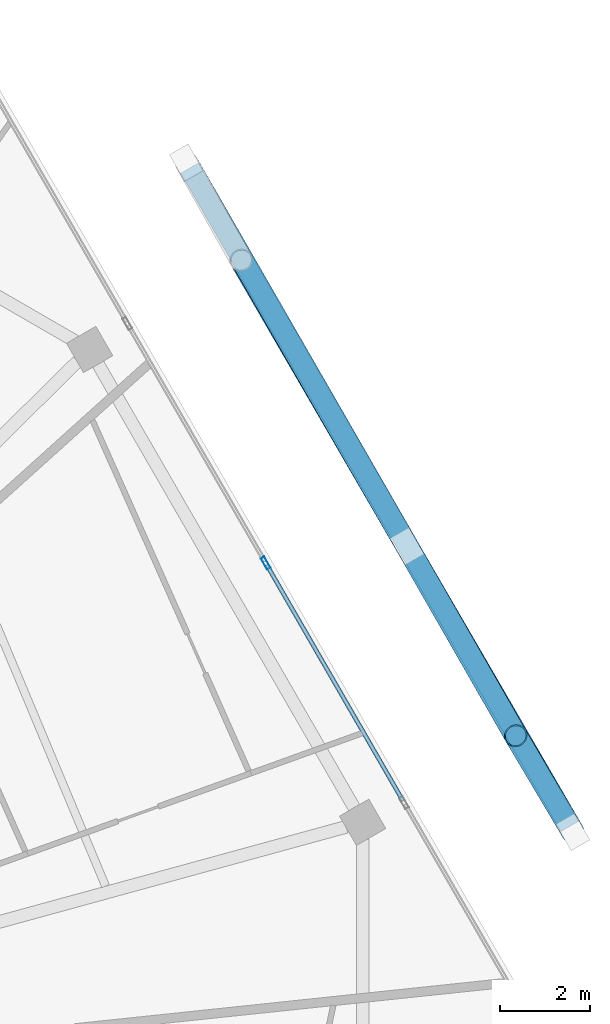
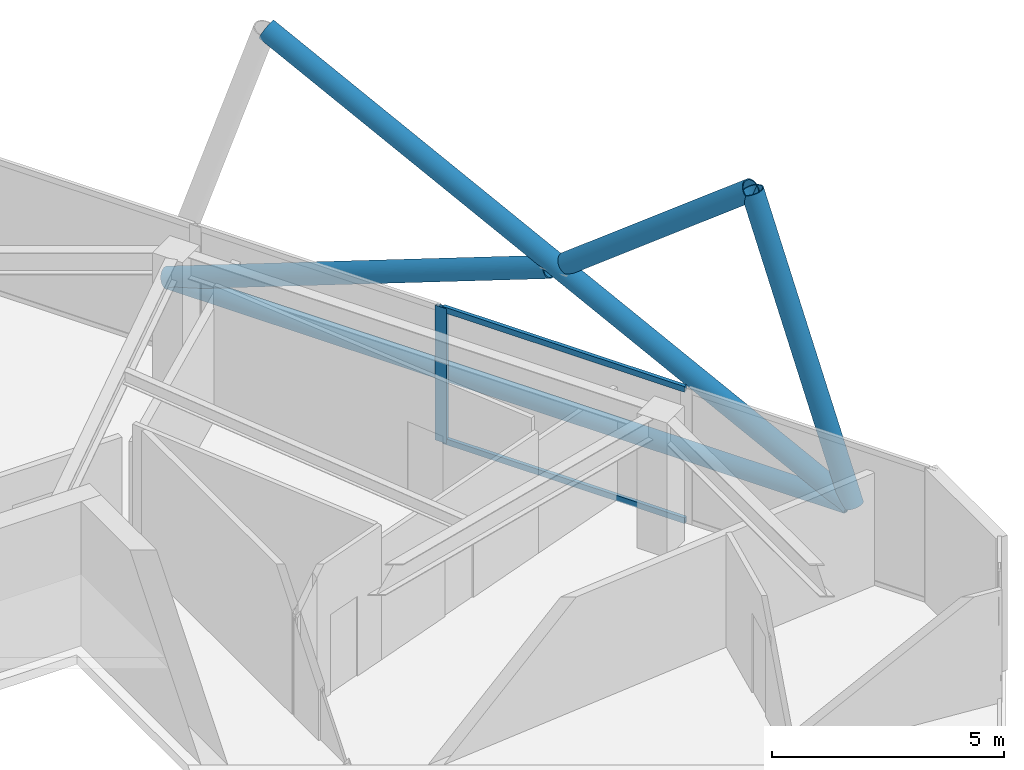
# One storey, part 13 of 23: 8 members, 1 element without a shape of its own.
"""IFC4 building model written with IfcOpenShell, lengths in metres."""

import ifcopenshell
import ifcopenshell.guid

model = None  # the IFC model being written
_history = None  # IfcOwnerHistory: only IFC2X3 demands one
_inside = {}  # id of a spatial element -> (the spatial element, [elements in it])
_under = {}  # id of a project, library or spatial element -> (it, [spatial elements below it])
_declared = {}  # id of a project -> (the project, [libraries it declares])
_typed = {}  # id of a type object -> (the type object, [elements of that type])
_made_of = {}  # id of a material, layer set ... -> (it, [elements and type objects made of it])


def new_model(schema):
    """Start an empty IFC model of exactly this schema.

    Asked for "IFC4X3", IfcOpenShell would pick the latest addendum, in which some entities
    have other attributes; the version numbers below select the first issue.
    IFC2X3 requires an IfcOwnerHistory on every rooted entity: one is made here for all.
    """
    global model, _history
    if schema == "IFC4X3":
        model = ifcopenshell.file(schema_version=(4, 3, 0, 0))
    else:
        model = ifcopenshell.file(schema=schema)
    _inside.clear()
    _under.clear()
    _declared.clear()
    _typed.clear()
    _made_of.clear()
    _history = None
    if model.schema == "IFC2X3":
        org = make("IfcOrganization", Name="unknown")
        user = make(
            "IfcPersonAndOrganization",
            ThePerson=make("IfcPerson", FamilyName="unknown"),
            TheOrganization=org,
        )
        app = make(
            "IfcApplication",
            ApplicationDeveloper=org,
            Version="unknown",
            ApplicationFullName="unknown",
            ApplicationIdentifier="unknown",
        )
        _history = make(
            "IfcOwnerHistory",
            OwningUser=user,
            OwningApplication=app,
            ChangeAction="ADDED",
            CreationDate=0,
        )
    return model


def make(cls, **values):
    """One entity of the class cls with the attributes given. An attribute that is None is left unset."""
    return model.create_entity(
        cls, **{name: value for name, value in values.items() if value is not None}
    )


def rooted(cls, **values):
    """An entity with a GlobalId (a new one), such as an element, a storey or a relation."""
    return make(cls, GlobalId=ifcopenshell.guid.new(), OwnerHistory=_history, **values)


def si_unit(unit_type, name, prefix=None):
    """IfcSIUnit, for example si_unit("LENGTHUNIT", "METRE", prefix="MILLI")."""
    return make("IfcSIUnit", UnitType=unit_type, Prefix=prefix, Name=name)


def assignment(units):
    """IfcUnitAssignment: the units of a project."""
    return None if units is None else make("IfcUnitAssignment", Units=units)


def point(xyz):
    """IfcCartesianPoint."""
    return None if xyz is None else make("IfcCartesianPoint", Coordinates=xyz)


def direction(xyz):
    """IfcDirection."""
    return None if xyz is None else make("IfcDirection", DirectionRatios=xyz)


def frame(location, z_axis=None, x_axis=None):
    """IfcAxis2Placement3D, a coordinate frame: its origin and axes. An axis left out is left unset."""
    return make(
        "IfcAxis2Placement3D",
        Location=point(location),
        Axis=direction(z_axis),
        RefDirection=direction(x_axis),
    )


def frame_2d(location, x_axis=None):
    """IfcAxis2Placement2D, a coordinate frame in the plane: its origin and x axis."""
    return make(
        "IfcAxis2Placement2D", Location=point(location), RefDirection=direction(x_axis)
    )


def origin():
    """The frame at (0, 0, 0) with its axes left unset."""
    return frame((0.0, 0.0, 0.0))


def origin_2d():
    """The frame at (0, 0) in the plane with its x axis left unset."""
    return frame_2d((0.0, 0.0))


def place(relative_to, where):
    """IfcLocalPlacement: puts the frame where relative to a parent placement (None: the world)."""
    return make(
        "IfcLocalPlacement", PlacementRelTo=relative_to, RelativePlacement=where
    )


def context(
    kind, dimensions, precision=None, world=None, true_north=None, identifier=None
):
    """IfcGeometricRepresentationContext, for example the 3D "Model" context."""
    return make(
        "IfcGeometricRepresentationContext",
        ContextIdentifier=identifier,
        ContextType=kind,
        CoordinateSpaceDimension=dimensions,
        Precision=precision,
        WorldCoordinateSystem=world,
        TrueNorth=true_north,
    )


def subcontext(parent, identifier, kind, view, scale=None):
    """IfcGeometricRepresentationSubContext, for example "Body" below "Model"."""
    return make(
        "IfcGeometricRepresentationSubContext",
        ContextIdentifier=identifier,
        ContextType=kind,
        ParentContext=parent,
        TargetScale=scale,
        TargetView=view,
    )


def project(units=None, contexts=None):
    """IfcProject with its units and contexts."""
    return rooted(
        "IfcProject",
        Name="project",
        RepresentationContexts=contexts,
        UnitsInContext=assignment(units),
    )


def spatial(cls, under=None, at=None, **own):
    """A site, building, storey or space (cls), placed at a placement, below another one or the project."""
    s = rooted(cls, ObjectPlacement=at, **own)
    if under is not None:
        _under.setdefault(under.id(), (under, []))[1].append(s)
    return s


def profile(cls, at=None, kind="AREA", **sizes):
    """A parametric profile (cls). Its sizes go by their IFC names, for example OverallWidth=200.0."""
    return make(cls, ProfileType=kind, Position=at, **sizes)


def hollow_rectangle(**sizes):
    """IfcRectangleHollowProfileDef."""
    return profile("IfcRectangleHollowProfileDef", **sizes)


def hollow_circle(**sizes):
    """IfcCircleHollowProfileDef."""
    return profile("IfcCircleHollowProfileDef", **sizes)


def extrude(swept, where, along, depth):
    """IfcExtrudedAreaSolid: the profile swept, set in the frame where, extruded along a direction by depth."""
    return make(
        "IfcExtrudedAreaSolid",
        SweptArea=swept,
        Position=where,
        ExtrudedDirection=direction(along),
        Depth=depth,
    )


def shape(context_of_items, identifier, shape_type, items):
    """IfcShapeRepresentation: the items that make up one representation, for example the "Body"."""
    return make(
        "IfcShapeRepresentation",
        ContextOfItems=context_of_items,
        RepresentationIdentifier=identifier,
        RepresentationType=shape_type,
        Items=items,
    )


def material(Name=None, Category=None):
    """IfcMaterial."""
    return make("IfcMaterial", Name=Name, Category=Category)


def material_profile(
    of_material, cross_section, Name=None, Category=None, Priority=None
):
    """IfcMaterialProfile: a cross section and its material."""
    return make(
        "IfcMaterialProfile",
        Name=Name,
        Material=of_material,
        Profile=cross_section,
        Priority=Priority,
        Category=Category,
    )


def profile_set(profiles, Name=None, composite=None):
    """IfcMaterialProfileSet."""
    return make(
        "IfcMaterialProfileSet",
        Name=Name,
        MaterialProfiles=profiles,
        CompositeProfile=composite,
    )


def made_of(thing, what):
    """Note that an element or type object is made of a material, layer set ...; save() writes the relation."""
    if what is not None:
        _made_of.setdefault(what.id(), (what, []))[1].append(thing)
    return thing


def type_object(cls, material=None, **own):
    """A type object (cls), such as IfcWallType, which elements share."""
    return made_of(rooted(cls, **own), material)


def element(
    cls,
    number,
    at=None,
    inside=None,
    cuts=None,
    type_object=None,
    material=None,
    context=None,
    identifier="Body",
    shape_type=None,
    held_by="IfcProductDefinitionShape",
    body=None,
    shapes=None,
    **own,
):
    """One element of the class cls, such as IfcWall. Its Tag is "e" and its number.

    at: its placement. inside: the storey or other place that contains it. cuts: it is an
    opening in that element (IfcRelVoidsElement). A single representation is given by context,
    identifier, shape_type and body (its items); several are given by shapes. held_by: the class
    of the entity that holds the representations. save() writes the other relations.
    """
    e = rooted(cls, Tag="e%d" % number, ObjectPlacement=at, **own)
    if body is not None:
        shapes = [shape(context, identifier, shape_type, body)]
    if shapes is not None:
        e.Representation = make(held_by, Representations=shapes)
    if inside is not None:
        _inside.setdefault(inside.id(), (inside, []))[1].append(e)
    if cuts is not None:
        rooted(
            "IfcRelVoidsElement", RelatingBuildingElement=cuts, RelatedOpeningElement=e
        )
    if type_object is not None:
        _typed.setdefault(type_object.id(), (type_object, []))[1].append(e)
    return made_of(e, material)


def aggregate(whole, parts):
    """IfcRelAggregates: a whole, such as a stair, and the parts it consists of."""
    return rooted("IfcRelAggregates", RelatingObject=whole, RelatedObjects=parts)


def save(model, path):
    """Write the relations noted so far, then the file.

    IfcRelAggregates (storeys below a building ...), IfcRelContainedInSpatialStructure (elements
    in a storey), IfcRelDefinesByType, IfcRelAssociatesMaterial and IfcRelDeclares: one each for
    every whole, place, type object, material and project.
    """
    for whole, parts in _under.values():
        aggregate(whole, parts)
    for where, things in _inside.values():
        rooted(
            "IfcRelContainedInSpatialStructure",
            RelatedElements=things,
            RelatingStructure=where,
        )
    for kind, things in _typed.values():
        rooted("IfcRelDefinesByType", RelatedObjects=things, RelatingType=kind)
    for what, things in _made_of.values():
        rooted("IfcRelAssociatesMaterial", RelatedObjects=things, RelatingMaterial=what)
    for by, libraries in _declared.values():
        rooted("IfcRelDeclares", RelatingContext=by, RelatedDefinitions=libraries)
    model.write(path)


model = new_model("IFC4")

# Units and contexts
model_context = context("Model", 3, precision=1e-05, world=origin(), true_north=direction((0.0, 1.0)))
body_context = subcontext(model_context, "Body", "Model", "MODEL_VIEW")
ifc_project = project(units=[si_unit("LENGTHUNIT", "METRE"), si_unit("AREAUNIT", "SQUARE_METRE"), si_unit("VOLUMEUNIT", "CUBIC_METRE"), si_unit("PLANEANGLEUNIT", "RADIAN"), si_unit("MASSUNIT", "GRAM", prefix="KILO")], contexts=[model_context])

# Site, building, storey
site_placement = place(None, origin())
site = spatial("IfcSite", under=ifc_project, at=site_placement, CompositionType="ELEMENT")
building_placement = place(site_placement, origin())
building = spatial("IfcBuilding", under=site, at=building_placement, Name="Zuhravey Tower", CompositionType="ELEMENT")
storey_placement = place(building_placement, frame((0.0, 0.0, 346.199951171875)))
storey = spatial("IfcBuildingStorey", under=building, at=storey_placement, Name="L88", CompositionType="ELEMENT", Elevation=346.199951171875)

# Curtain wall, members
ifc_material_1 = material(Name="Thermally broken anodised aluminium", Category="aluminium")
curtain_wall_type = type_object("IfcCurtainWallType", Name="Zone 3-4 High-Rise Curtain Wall CW4", PredefinedType="NOTDEFINED", material=ifc_material_1)
curtain_wall_placement = place(storey_placement, origin())
curtain_wall = element("IfcCurtainWall", 1, at=curtain_wall_placement, inside=storey, type_object=curtain_wall_type, Name="L88 CW4 CW-L88-F1-1", PredefinedType="NOTDEFINED")
ifc_material_2 = material(Name="Anodised aluminium", Category="aluminium")
ifc_material_profile_1 = material_profile(ifc_material_2, hollow_rectangle(XDim=0.090087890625, YDim=0.284912109375, WallThickness=0.0048828125, at=origin_2d()), Name="ALU-RHS-90x285x5")
ifc_profile_set_1 = profile_set([ifc_material_profile_1], Name="Anodised aluminium")
member_type_1 = type_object("IfcMemberType", Name="Curtain-Wall Mullion 90x180", PredefinedType="MULLION", material=ifc_profile_set_1)
member_1_placement = place(storey_placement, frame((56.8486328125, 44.037109375, 0.0), z_axis=(0.0, 0.0, 1.0), x_axis=(0.866025511541, 0.49999981336, 0.0)))
member_1 = element("IfcMember", 2, at=member_1_placement, type_object=member_type_1, Name="CW4 mullion 3", PredefinedType="MULLION", context=body_context, shape_type="SweptSolid", body=[
    extrude(hollow_rectangle(XDim=0.090087890625, YDim=0.284912109375, WallThickness=0.0048828125, at=origin_2d()), origin(), (0.0, 0.0, 1.0), 3.550048828125),
])
ifc_material_profile_2 = material_profile(ifc_material_2, hollow_rectangle(XDim=0.090087890625, YDim=0.14990234375, WallThickness=0.0048828125, at=origin_2d()), Name="ALU-RHS-90x150x5")
ifc_profile_set_2 = profile_set([ifc_material_profile_2], Name="Anodised aluminium")
member_type_2 = type_object("IfcMemberType", Name="Curtain-Wall Transom 90x150", PredefinedType="USERDEFINED", material=ifc_profile_set_2)
member_2_placement = place(storey_placement, frame((56.871337890625, 43.998046875, 0.045166015625), z_axis=(0.499988837749, -0.866031848217, 0.0), x_axis=(0.866031848217, 0.499988837749, 0.0)))
member_2 = element("IfcMember", 3, at=member_2_placement, type_object=member_type_2, Name="CW4 transom 3.1", ObjectType="TRANSOM", PredefinedType="USERDEFINED", context=body_context, shape_type="SweptSolid", body=[
    extrude(hollow_rectangle(XDim=0.090087890625, YDim=0.14990234375, WallThickness=0.0048828125, at=origin_2d()), origin(), (0.0, 0.0, 1.0), 6.029541015625),
])
member_3_placement = place(storey_placement, frame((56.871337890625, 43.998046875, 3.505126953125), z_axis=(0.499988837749, -0.866031848217, 0.0), x_axis=(0.866031848217, 0.499988837749, 0.0)))
member_3 = element("IfcMember", 4, at=member_3_placement, type_object=member_type_2, Name="CW4 transom 3.2", ObjectType="TRANSOM", PredefinedType="USERDEFINED", context=body_context, shape_type="SweptSolid", body=[
    extrude(hollow_rectangle(XDim=0.090087890625, YDim=0.14990234375, WallThickness=0.0048828125, at=origin_2d()), origin(), (0.0, 0.0, 1.0), 6.029541015625),
])
aggregate(curtain_wall, [member_1, member_2, member_3])

# Members
ifc_material_3 = material(Name="Steel SM355", Category="steel")
ifc_material_profile_3 = material_profile(ifc_material_3, hollow_circle(Radius=0.228515625, WallThickness=0.02197265625, at=origin_2d()), Name="CHS-457.2x22")
ifc_profile_set_3 = profile_set([ifc_material_profile_3], Name="Steel SM355")
member_type_3 = type_object("IfcMemberType", Name="Exoskeleton Ring Tie CHS457x22", PredefinedType="CHORD", material=ifc_profile_set_3)
member_4_placement = place(storey_placement, frame((63.573486328125, 38.209228515625, -0.4638671875), z_axis=(-0.499996794797, 0.866027254301, 0.0), x_axis=(-0.866027254301, -0.499996794797, 0.0)))
element("IfcMember", 5, at=member_4_placement, inside=storey, type_object=member_type_3, Name="L88 Exoskeleton Face 1 Tie EXR1", PredefinedType="CHORD", context=body_context, shape_type="SweptSolid", body=[
    extrude(hollow_circle(Radius=0.228515625, WallThickness=0.02197265625, at=origin_2d()), origin(), (0.0, 0.0, 1.0), 16.81884765625),
])
ifc_material_profile_4 = material_profile(ifc_material_3, hollow_circle(Radius=0.25390625, WallThickness=0.02490234375, at=origin_2d()), Name="CHS-508.0x25")
ifc_profile_set_4 = profile_set([ifc_material_profile_4], Name="Steel SM355")
member_type_4 = type_object("IfcMemberType", Name="Exoskeleton Zone 4 Diagrid CHS508x25", PredefinedType="BRACE", material=ifc_profile_set_4)
member_5_placement = place(storey_placement, frame((63.640869140625, 38.092529296875, -0.447998046875), z_axis=(-0.161040670764, 0.271341219213, 0.948915088464), x_axis=(-0.859949583119, -0.510378991038, 0.0)))
element("IfcMember", 6, at=member_5_placement, inside=storey, type_object=member_type_4, Name="L88 Face 1 Diagrid Brace 1", PredefinedType="BRACE", context=body_context, shape_type="SweptSolid", body=[
    extrude(hollow_circle(Radius=0.25390625, WallThickness=0.02490234375, at=origin_2d()), origin(), (0.0, 0.0, 1.0), 7.833251953125),
])
member_6_placement = place(storey_placement, frame((63.6279296875, 38.114990234375, -0.447998046875), z_axis=(-0.446865935114, 0.770351876309, 0.454828344215), x_axis=(-0.86500104816, -0.501770053593, 0.0)))
element("IfcMember", 7, at=member_6_placement, inside=storey, type_object=member_type_4, Name="L88 Face 1 Diagrid Brace 2", PredefinedType="BRACE", context=body_context, shape_type="SweptSolid", body=[
    extrude(hollow_circle(Radius=0.25390625, WallThickness=0.02490234375, at=origin_2d()), origin(), (0.0, 0.0, 1.0), 16.3427734375),
])
member_7_placement = place(storey_placement, frame((55.110595703125, 52.86767578125, -0.451416015625), z_axis=(0.465959305212, -0.809928956205, 0.356226068372), x_axis=(0.866790591447, 0.498672307812, 0.0)))
element("IfcMember", 8, at=member_7_placement, inside=storey, type_object=member_type_4, Name="L88 Face 1 Split Diagrid Brace 3A", PredefinedType="BRACE", context=body_context, shape_type="SweptSolid", body=[
    extrude(hollow_circle(Radius=0.25390625, WallThickness=0.02490234375, at=origin_2d()), origin(), (0.0, 0.0, 1.0), 10.19873046875),
])
member_8_placement = place(storey_placement, frame((60.072509765625, 44.242431640625, 3.417724609375), z_axis=(0.393368510189, -0.686308752401, 0.611752819012), x_axis=(0.867593246351, 0.497274530703, 0.0)))
element("IfcMember", 9, at=member_8_placement, inside=storey, type_object=member_type_4, Name="L88 Face 1 Split Diagrid Brace 3B", PredefinedType="BRACE", context=body_context, shape_type="SweptSolid", body=[
    extrude(hollow_circle(Radius=0.25390625, WallThickness=0.02490234375, at=origin_2d()), origin(), (0.0, 0.0, 1.0), 5.822265625),
])

save(model, "model.ifc")
